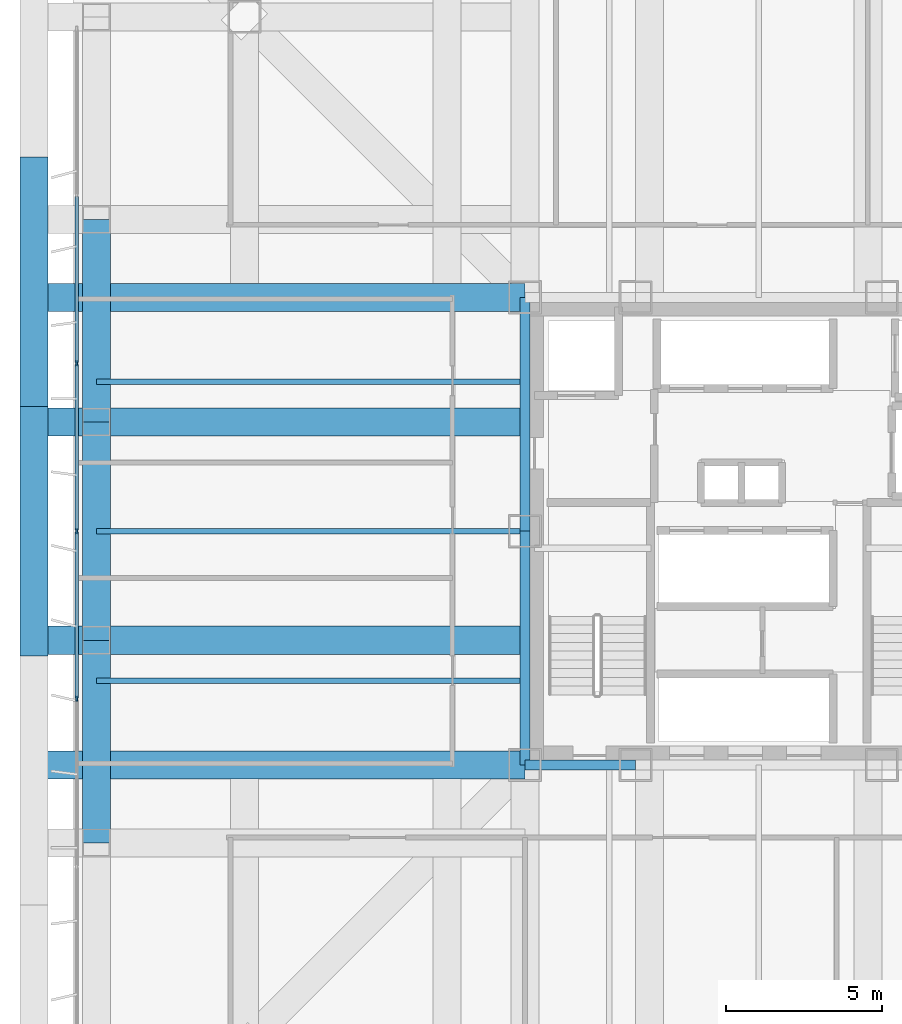
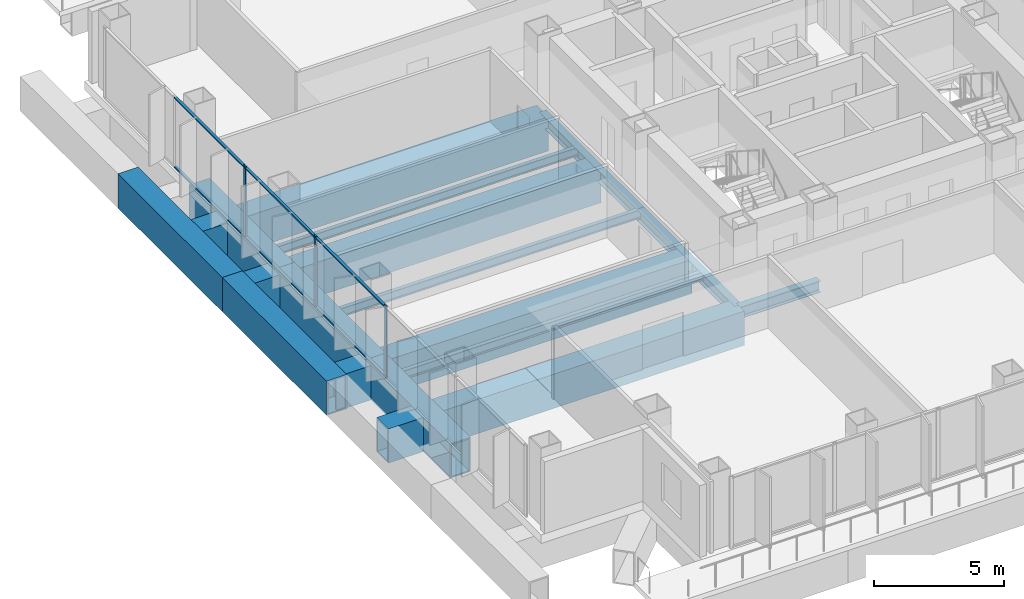
# One storey, part 4 of 17: 15 beams, 9 members, 1 element without a shape of its own.
"""IFC4 building model written with IfcOpenShell, lengths in metres."""

import ifcopenshell
import ifcopenshell.guid

model = None  # the IFC model being written
_history = None  # IfcOwnerHistory: only IFC2X3 demands one
_inside = {}  # id of a spatial element -> (the spatial element, [elements in it])
_under = {}  # id of a project, library or spatial element -> (it, [spatial elements below it])
_declared = {}  # id of a project -> (the project, [libraries it declares])
_typed = {}  # id of a type object -> (the type object, [elements of that type])
_made_of = {}  # id of a material, layer set ... -> (it, [elements and type objects made of it])


def new_model(schema):
    """Start an empty IFC model of exactly this schema.

    Asked for "IFC4X3", IfcOpenShell would pick the latest addendum, in which some entities
    have other attributes; the version numbers below select the first issue.
    IFC2X3 requires an IfcOwnerHistory on every rooted entity: one is made here for all.
    """
    global model, _history
    if schema == "IFC4X3":
        model = ifcopenshell.file(schema_version=(4, 3, 0, 0))
    else:
        model = ifcopenshell.file(schema=schema)
    _inside.clear()
    _under.clear()
    _declared.clear()
    _typed.clear()
    _made_of.clear()
    _history = None
    if model.schema == "IFC2X3":
        org = make("IfcOrganization", Name="unknown")
        user = make(
            "IfcPersonAndOrganization",
            ThePerson=make("IfcPerson", FamilyName="unknown"),
            TheOrganization=org,
        )
        app = make(
            "IfcApplication",
            ApplicationDeveloper=org,
            Version="unknown",
            ApplicationFullName="unknown",
            ApplicationIdentifier="unknown",
        )
        _history = make(
            "IfcOwnerHistory",
            OwningUser=user,
            OwningApplication=app,
            ChangeAction="ADDED",
            CreationDate=0,
        )
    return model


def make(cls, **values):
    """One entity of the class cls with the attributes given. An attribute that is None is left unset."""
    return model.create_entity(
        cls, **{name: value for name, value in values.items() if value is not None}
    )


def rooted(cls, **values):
    """An entity with a GlobalId (a new one), such as an element, a storey or a relation."""
    return make(cls, GlobalId=ifcopenshell.guid.new(), OwnerHistory=_history, **values)


def si_unit(unit_type, name, prefix=None):
    """IfcSIUnit, for example si_unit("LENGTHUNIT", "METRE", prefix="MILLI")."""
    return make("IfcSIUnit", UnitType=unit_type, Prefix=prefix, Name=name)


def assignment(units):
    """IfcUnitAssignment: the units of a project."""
    return None if units is None else make("IfcUnitAssignment", Units=units)


def point(xyz):
    """IfcCartesianPoint."""
    return None if xyz is None else make("IfcCartesianPoint", Coordinates=xyz)


def direction(xyz):
    """IfcDirection."""
    return None if xyz is None else make("IfcDirection", DirectionRatios=xyz)


def frame(location, z_axis=None, x_axis=None):
    """IfcAxis2Placement3D, a coordinate frame: its origin and axes. An axis left out is left unset."""
    return make(
        "IfcAxis2Placement3D",
        Location=point(location),
        Axis=direction(z_axis),
        RefDirection=direction(x_axis),
    )


def frame_2d(location, x_axis=None):
    """IfcAxis2Placement2D, a coordinate frame in the plane: its origin and x axis."""
    return make(
        "IfcAxis2Placement2D", Location=point(location), RefDirection=direction(x_axis)
    )


def origin():
    """The frame at (0, 0, 0) with its axes left unset."""
    return frame((0.0, 0.0, 0.0))


def origin_2d():
    """The frame at (0, 0) in the plane with its x axis left unset."""
    return frame_2d((0.0, 0.0))


def place(relative_to, where):
    """IfcLocalPlacement: puts the frame where relative to a parent placement (None: the world)."""
    return make(
        "IfcLocalPlacement", PlacementRelTo=relative_to, RelativePlacement=where
    )


def context(
    kind, dimensions, precision=None, world=None, true_north=None, identifier=None
):
    """IfcGeometricRepresentationContext, for example the 3D "Model" context."""
    return make(
        "IfcGeometricRepresentationContext",
        ContextIdentifier=identifier,
        ContextType=kind,
        CoordinateSpaceDimension=dimensions,
        Precision=precision,
        WorldCoordinateSystem=world,
        TrueNorth=true_north,
    )


def subcontext(parent, identifier, kind, view, scale=None):
    """IfcGeometricRepresentationSubContext, for example "Body" below "Model"."""
    return make(
        "IfcGeometricRepresentationSubContext",
        ContextIdentifier=identifier,
        ContextType=kind,
        ParentContext=parent,
        TargetScale=scale,
        TargetView=view,
    )


def project(units=None, contexts=None):
    """IfcProject with its units and contexts."""
    return rooted(
        "IfcProject",
        Name="project",
        RepresentationContexts=contexts,
        UnitsInContext=assignment(units),
    )


def spatial(cls, under=None, at=None, **own):
    """A site, building, storey or space (cls), placed at a placement, below another one or the project."""
    s = rooted(cls, ObjectPlacement=at, **own)
    if under is not None:
        _under.setdefault(under.id(), (under, []))[1].append(s)
    return s


def profile(cls, at=None, kind="AREA", **sizes):
    """A parametric profile (cls). Its sizes go by their IFC names, for example OverallWidth=200.0."""
    return make(cls, ProfileType=kind, Position=at, **sizes)


def rectangle(**sizes):
    """IfcRectangleProfileDef."""
    return profile("IfcRectangleProfileDef", **sizes)


def hollow_rectangle(**sizes):
    """IfcRectangleHollowProfileDef."""
    return profile("IfcRectangleHollowProfileDef", **sizes)


def i_section(**sizes):
    """IfcIShapeProfileDef."""
    return profile("IfcIShapeProfileDef", **sizes)


def extrude(swept, where, along, depth):
    """IfcExtrudedAreaSolid: the profile swept, set in the frame where, extruded along a direction by depth."""
    return make(
        "IfcExtrudedAreaSolid",
        SweptArea=swept,
        Position=where,
        ExtrudedDirection=direction(along),
        Depth=depth,
    )


def shape(context_of_items, identifier, shape_type, items):
    """IfcShapeRepresentation: the items that make up one representation, for example the "Body"."""
    return make(
        "IfcShapeRepresentation",
        ContextOfItems=context_of_items,
        RepresentationIdentifier=identifier,
        RepresentationType=shape_type,
        Items=items,
    )


def material(Name=None, Category=None):
    """IfcMaterial."""
    return make("IfcMaterial", Name=Name, Category=Category)


def layer(
    of_material, thickness, ventilated=None, Name=None, Category=None, Priority=None
):
    """IfcMaterialLayer: one layer of a wall or slab, of a material (None: an air gap)."""
    return make(
        "IfcMaterialLayer",
        Material=of_material,
        LayerThickness=thickness,
        IsVentilated=ventilated,
        Name=Name,
        Category=Category,
        Priority=Priority,
    )


def layer_set(layers, Name=None):
    """IfcMaterialLayerSet."""
    return make("IfcMaterialLayerSet", MaterialLayers=layers, LayerSetName=Name)


def material_profile(
    of_material, cross_section, Name=None, Category=None, Priority=None
):
    """IfcMaterialProfile: a cross section and its material."""
    return make(
        "IfcMaterialProfile",
        Name=Name,
        Material=of_material,
        Profile=cross_section,
        Priority=Priority,
        Category=Category,
    )


def profile_set(profiles, Name=None, composite=None):
    """IfcMaterialProfileSet."""
    return make(
        "IfcMaterialProfileSet",
        Name=Name,
        MaterialProfiles=profiles,
        CompositeProfile=composite,
    )


def made_of(thing, what):
    """Note that an element or type object is made of a material, layer set ...; save() writes the relation."""
    if what is not None:
        _made_of.setdefault(what.id(), (what, []))[1].append(thing)
    return thing


def type_object(cls, material=None, **own):
    """A type object (cls), such as IfcWallType, which elements share."""
    return made_of(rooted(cls, **own), material)


def element(
    cls,
    number,
    at=None,
    inside=None,
    cuts=None,
    type_object=None,
    material=None,
    context=None,
    identifier="Body",
    shape_type=None,
    held_by="IfcProductDefinitionShape",
    body=None,
    shapes=None,
    **own,
):
    """One element of the class cls, such as IfcWall. Its Tag is "e" and its number.

    at: its placement. inside: the storey or other place that contains it. cuts: it is an
    opening in that element (IfcRelVoidsElement). A single representation is given by context,
    identifier, shape_type and body (its items); several are given by shapes. held_by: the class
    of the entity that holds the representations. save() writes the other relations.
    """
    e = rooted(cls, Tag="e%d" % number, ObjectPlacement=at, **own)
    if body is not None:
        shapes = [shape(context, identifier, shape_type, body)]
    if shapes is not None:
        e.Representation = make(held_by, Representations=shapes)
    if inside is not None:
        _inside.setdefault(inside.id(), (inside, []))[1].append(e)
    if cuts is not None:
        rooted(
            "IfcRelVoidsElement", RelatingBuildingElement=cuts, RelatedOpeningElement=e
        )
    if type_object is not None:
        _typed.setdefault(type_object.id(), (type_object, []))[1].append(e)
    return made_of(e, material)


def aggregate(whole, parts):
    """IfcRelAggregates: a whole, such as a stair, and the parts it consists of."""
    return rooted("IfcRelAggregates", RelatingObject=whole, RelatedObjects=parts)


def save(model, path):
    """Write the relations noted so far, then the file.

    IfcRelAggregates (storeys below a building ...), IfcRelContainedInSpatialStructure (elements
    in a storey), IfcRelDefinesByType, IfcRelAssociatesMaterial and IfcRelDeclares: one each for
    every whole, place, type object, material and project.
    """
    for whole, parts in _under.values():
        aggregate(whole, parts)
    for where, things in _inside.values():
        rooted(
            "IfcRelContainedInSpatialStructure",
            RelatedElements=things,
            RelatingStructure=where,
        )
    for kind, things in _typed.values():
        rooted("IfcRelDefinesByType", RelatedObjects=things, RelatingType=kind)
    for what, things in _made_of.values():
        rooted("IfcRelAssociatesMaterial", RelatedObjects=things, RelatingMaterial=what)
    for by, libraries in _declared.values():
        rooted("IfcRelDeclares", RelatingContext=by, RelatedDefinitions=libraries)
    model.write(path)


model = new_model("IFC4")

# Units and contexts
model_context = context("Model", 3, precision=1e-05, world=origin(), true_north=direction((0.0, 1.0)))
body_context = subcontext(model_context, "Body", "Model", "MODEL_VIEW")
ifc_project = project(units=[si_unit("LENGTHUNIT", "METRE"), si_unit("AREAUNIT", "SQUARE_METRE"), si_unit("VOLUMEUNIT", "CUBIC_METRE"), si_unit("PLANEANGLEUNIT", "RADIAN"), si_unit("MASSUNIT", "GRAM", prefix="KILO")], contexts=[model_context])

# Site, building, storey
site_placement = place(None, origin())
site = spatial("IfcSite", under=ifc_project, at=site_placement, CompositionType="ELEMENT")
building_placement = place(site_placement, origin())
building = spatial("IfcBuilding", under=site, at=building_placement, Name="Trevonay Congress Spire", CompositionType="ELEMENT")
storey_placement = place(building_placement, frame((0.0, 0.0, 94.0)))
storey = spatial("IfcBuildingStorey", under=building, at=storey_placement, Name="L23", CompositionType="ELEMENT", Elevation=94.0)

# Beams
ifc_material_1 = material(Name="Steel ASTM A572 Grade 50", Category="steel")
ifc_material_profile_1 = material_profile(ifc_material_1, i_section(OverallWidth=0.31201171875, OverallDepth=0.54296875, WebThickness=0.0126953125, FlangeThickness=0.020263671875, FilletRadius=0.014892578125, at=origin_2d()), Name="W530x150")
ifc_profile_set_1 = profile_set([ifc_material_profile_1], Name="Steel ASTM A572 Grade 50")
beam_type_1 = type_object("IfcBeamType", Name="BM-GIRD-W530X150", PredefinedType="BEAM", material=ifc_profile_set_1)
beam_1_placement = place(storey_placement, frame((-7.5, -7.5, -0.67138671875), z_axis=(1.0, 0.0, 0.0), x_axis=(0.0, 1.0, 0.0)))
element("IfcBeam", 1, at=beam_1_placement, inside=storey, type_object=beam_type_1, Name="L23 structural beam BM-L23-CR-S1", PredefinedType="BEAM", context=body_context, shape_type="SweptSolid", body=[
    extrude(i_section(OverallWidth=0.31201171875, OverallDepth=0.54296875, WebThickness=0.0126953125, FlangeThickness=0.020263671875, FilletRadius=0.014892578125, at=origin_2d()), origin(), (0.0, 0.0, 1.0), 3.550048828125),
])
for number, where, z_axis, x_axis, name in (
    (2, (-7.5, -7.5, -0.67138671875), (0.0, 1.0, 0.0), (-1.0, 0.0, 0.0), "L23 structural beam BM-L23-CR-W1"),
    (3, (-7.5, 0.0, -0.67138671875), (0.0, 1.0, 0.0), (-1.0, 0.0, 0.0), "L23 structural beam BM-L23-CR-W2"),
):
    element("IfcBeam", number, at=place(storey_placement, frame(where, z_axis=z_axis, x_axis=x_axis)), inside=storey, type_object=beam_type_1, Name=name, PredefinedType="BEAM", context=body_context, shape_type="SweptSolid", body=[
        extrude(i_section(OverallWidth=0.31201171875, OverallDepth=0.54296875, WebThickness=0.0126953125, FlangeThickness=0.020263671875, FilletRadius=0.014892578125, at=origin_2d()), origin(), (0.0, 0.0, 1.0), 7.5),
    ])
ifc_material_profile_2 = material_profile(ifc_material_1, hollow_rectangle(XDim=0.89990234375, YDim=1.60009765625, WallThickness=0.06005859375, at=origin_2d()), Name="BOX 1600x900x60")
ifc_profile_set_2 = profile_set([ifc_material_profile_2], Name="Steel ASTM A572 Grade 50")
beam_type_2 = type_object("IfcBeamType", Name="BM-RING-BOX1600", PredefinedType="BEAM", material=ifc_profile_set_2)
beam_2_placement = place(storey_placement, frame((-21.25, -10.0, -1.199951171875), z_axis=(0.0, 1.0, 0.0), x_axis=(-1.0, 0.0, 0.0)))
element("IfcBeam", 4, at=beam_2_placement, inside=storey, type_object=beam_type_2, Name="L23 structural beam BM-L23-PW2", PredefinedType="BEAM", context=body_context, shape_type="SweptSolid", body=[
    extrude(hollow_rectangle(XDim=0.89990234375, YDim=1.60009765625, WallThickness=0.06005859375, at=origin_2d()), origin(), (0.0, 0.0, 1.0), 6.5),
])
beam_3_placement = place(storey_placement, frame((-21.25, -3.5, -1.199951171875), z_axis=(0.0, 1.0, 0.0), x_axis=(-1.0, 0.0, 0.0)))
element("IfcBeam", 5, at=beam_3_placement, inside=storey, type_object=beam_type_2, Name="L23 structural beam BM-L23-PW3", PredefinedType="BEAM", context=body_context, shape_type="SweptSolid", body=[
    extrude(hollow_rectangle(XDim=0.89990234375, YDim=1.60009765625, WallThickness=0.06005859375, at=origin_2d()), origin(), (0.0, 0.0, 1.0), 7.0),
])
beam_4_placement = place(storey_placement, frame((-21.25, 3.5, -1.199951171875), z_axis=(0.0, 1.0, 0.0), x_axis=(-1.0, 0.0, 0.0)))
element("IfcBeam", 6, at=beam_4_placement, inside=storey, type_object=beam_type_2, Name="L23 structural beam BM-L23-PW4", PredefinedType="BEAM", context=body_context, shape_type="SweptSolid", body=[
    extrude(hollow_rectangle(XDim=0.89990234375, YDim=1.60009765625, WallThickness=0.06005859375, at=origin_2d()), origin(), (0.0, 0.0, 1.0), 6.5),
])
for number, where, z_axis, x_axis, name in (
    (7, (-23.25, -4.0, -1.199951171875), (0.0, 1.0, 0.0), (-1.0, 0.0, 0.0), "L23 structural beam XOUT-L23-W2"),
    (8, (-23.25, 4.0, -1.199951171875), (0.0, 1.0, 0.0), (-1.0, 0.0, 0.0), "L23 structural beam XOUT-L23-W3"),
):
    element("IfcBeam", number, at=place(storey_placement, frame(where, z_axis=z_axis, x_axis=x_axis)), inside=storey, type_object=beam_type_2, Name=name, PredefinedType="BEAM", context=body_context, shape_type="SweptSolid", body=[
        extrude(hollow_rectangle(XDim=0.89990234375, YDim=1.60009765625, WallThickness=0.06005859375, at=origin_2d()), origin(), (0.0, 0.0, 1.0), 8.0),
    ])
ifc_material_profile_3 = material_profile(ifc_material_1, hollow_rectangle(XDim=0.89990234375, YDim=1.60009765625, WallThickness=0.06005859375, at=origin_2d()), Name="BOX 1600x900x60")
ifc_profile_set_3 = profile_set([ifc_material_profile_3], Name="Steel ASTM A572 Grade 50")
beam_type_3 = type_object("IfcBeamType", Name="BM-XFER-BOX1600", PredefinedType="BEAM", material=ifc_profile_set_3)
for number, where, z_axis, x_axis, name in (
    (9, (-7.5, -7.5, -1.199951171875), (-1.0, 0.0, 0.0), (0.0, -1.0, 0.0), "L23 structural beam XSPN-L23-CX-SW"),
    (10, (-7.5, 7.5, -1.199951171875), (-1.0, 0.0, 0.0), (0.0, -1.0, 0.0), "L23 structural beam XSPN-L23-CX-NW"),
    (11, (-7.5, -3.5, -1.199951171875), (-1.0, 0.0, 0.0), (0.0, -1.0, 0.0), "L23 structural beam XFER-L23-W2"),
    (12, (-7.5, 3.5, -1.199951171875), (-1.0, 0.0, 0.0), (0.0, -1.0, 0.0), "L23 structural beam XFER-L23-W3"),
):
    element("IfcBeam", number, at=place(storey_placement, frame(where, z_axis=z_axis, x_axis=x_axis)), inside=storey, type_object=beam_type_3, Name=name, PredefinedType="BEAM", context=body_context, shape_type="SweptSolid", body=[
        extrude(hollow_rectangle(XDim=0.89990234375, YDim=1.60009765625, WallThickness=0.06005859375, at=origin_2d()), origin(), (0.0, 0.0, 1.0), 15.75),
    ])

# Curtain wall, members
ifc_material_2 = material(Name="Pale Anodised Aluminium EN AW-6063-T6", Category="aluminium")
ifc_layer = layer(ifc_material_2, 0.175048828125, Name="Pale Anodised Aluminium EN AW-6063-T6")
ifc_layer_set = layer_set([ifc_layer], Name="Pale Anodised Aluminium EN AW-6063-T6")
curtain_wall_type = type_object("IfcCurtainWallType", Name="CW-SYS03-CONGRESS-PALE-METAL", PredefinedType="NOTDEFINED", material=ifc_layer_set)
curtain_wall_placement = place(storey_placement, origin())
curtain_wall = element("IfcCurtainWall", 13, at=curtain_wall_placement, inside=storey, type_object=curtain_wall_type, Name="L23 W unitised curtain wall", PredefinedType="NOTDEFINED")
ifc_material_profile_4 = material_profile(ifc_material_2, rectangle(XDim=0.06005859375, YDim=0.159912109375, at=origin_2d()), Name="CW-MULLION-160-ALUMINIUM")
ifc_profile_set_4 = profile_set([ifc_material_profile_4], Name="Pale Anodised Aluminium EN AW-6063-T6")
member_type_1 = type_object("IfcMemberType", Name="CW-MULLION-160-ALUMINIUM", PredefinedType="MULLION", material=ifc_profile_set_4)
member_1_placement = place(storey_placement, frame((-21.8798828125, -5.38330078125, 0.0), z_axis=(0.0, 0.0, 1.0), x_axis=(-1.0, 0.0, 0.0)))
member_1 = element("IfcMember", 14, at=member_1_placement, type_object=member_type_1, Name="CW03 mullion 3", PredefinedType="MULLION", context=body_context, shape_type="SweptSolid", body=[
    extrude(rectangle(XDim=0.06005859375, YDim=0.159912109375, at=origin_2d()), origin(), (0.0, 0.0, 1.0), 3.360107421875),
])
member_2_placement = place(storey_placement, frame((-21.8798828125, 0.0, 0.0), z_axis=(0.0, 0.0, 1.0), x_axis=(-1.0, 0.0, 0.0)))
member_2 = element("IfcMember", 15, at=member_2_placement, type_object=member_type_1, Name="CW03 mullion 4", PredefinedType="MULLION", context=body_context, shape_type="SweptSolid", body=[
    extrude(rectangle(XDim=0.06005859375, YDim=0.159912109375, at=origin_2d()), origin(), (0.0, 0.0, 1.0), 3.360107421875),
])
member_3_placement = place(storey_placement, frame((-21.8798828125, 5.38330078125, 0.0), z_axis=(0.0, 0.0, 1.0), x_axis=(-1.0, 0.0, 0.0)))
member_3 = element("IfcMember", 16, at=member_3_placement, type_object=member_type_1, Name="CW03 mullion 5", PredefinedType="MULLION", context=body_context, shape_type="SweptSolid", body=[
    extrude(rectangle(XDim=0.06005859375, YDim=0.159912109375, at=origin_2d()), origin(), (0.0, 0.0, 1.0), 3.360107421875),
])
ifc_material_profile_5 = material_profile(ifc_material_2, rectangle(XDim=0.1201171875, YDim=0.06005859375, at=origin_2d()), Name="CW-TRANSOM-120-ALUMINIUM")
ifc_profile_set_5 = profile_set([ifc_material_profile_5], Name="Pale Anodised Aluminium EN AW-6063-T6")
member_type_2 = type_object("IfcMemberType", Name="CW-TRANSOM-120-ALUMINIUM", PredefinedType="USERDEFINED", material=ifc_profile_set_5)
member_4_placement = place(storey_placement, frame((-21.8798828125, -5.353271484375, 0.06005859375), z_axis=(0.0, 1.0, 0.0), x_axis=(-1.0, 0.0, 0.0)))
member_4 = element("IfcMember", 17, at=member_4_placement, type_object=member_type_2, Name="CW03 transom 3.1", ObjectType="TRANSOM", PredefinedType="USERDEFINED", context=body_context, shape_type="SweptSolid", body=[
    extrude(rectangle(XDim=0.1201171875, YDim=0.06005859375, at=origin_2d()), origin(), (0.0, 0.0, 1.0), 5.3232421875),
])
member_5_placement = place(storey_placement, frame((-21.8798828125, -5.353271484375, 3.300048828125), z_axis=(0.0, 1.0, 0.0), x_axis=(-1.0, 0.0, 0.0)))
member_5 = element("IfcMember", 18, at=member_5_placement, type_object=member_type_2, Name="CW03 transom 3.2", ObjectType="TRANSOM", PredefinedType="USERDEFINED", context=body_context, shape_type="SweptSolid", body=[
    extrude(rectangle(XDim=0.1201171875, YDim=0.06005859375, at=origin_2d()), origin(), (0.0, 0.0, 1.0), 5.3232421875),
])
member_6_placement = place(storey_placement, frame((-21.8798828125, 0.030029296875, 0.06005859375), z_axis=(0.0, 1.0, 0.0), x_axis=(-1.0, 0.0, 0.0)))
member_6 = element("IfcMember", 19, at=member_6_placement, type_object=member_type_2, Name="CW03 transom 4.1", ObjectType="TRANSOM", PredefinedType="USERDEFINED", context=body_context, shape_type="SweptSolid", body=[
    extrude(rectangle(XDim=0.1201171875, YDim=0.06005859375, at=origin_2d()), origin(), (0.0, 0.0, 1.0), 5.3232421875),
])
member_7_placement = place(storey_placement, frame((-21.8798828125, 0.030029296875, 3.300048828125), z_axis=(0.0, 1.0, 0.0), x_axis=(-1.0, 0.0, 0.0)))
member_7 = element("IfcMember", 20, at=member_7_placement, type_object=member_type_2, Name="CW03 transom 4.2", ObjectType="TRANSOM", PredefinedType="USERDEFINED", context=body_context, shape_type="SweptSolid", body=[
    extrude(rectangle(XDim=0.1201171875, YDim=0.06005859375, at=origin_2d()), origin(), (0.0, 0.0, 1.0), 5.3232421875),
])
member_8_placement = place(storey_placement, frame((-21.8798828125, 5.413330078125, 0.06005859375), z_axis=(0.0, 1.0, 0.0), x_axis=(-1.0, 0.0, 0.0)))
member_8 = element("IfcMember", 21, at=member_8_placement, type_object=member_type_2, Name="CW03 transom 5.1", ObjectType="TRANSOM", PredefinedType="USERDEFINED", context=body_context, shape_type="SweptSolid", body=[
    extrude(rectangle(XDim=0.1201171875, YDim=0.06005859375, at=origin_2d()), origin(), (0.0, 0.0, 1.0), 5.3232421875),
])
member_9_placement = place(storey_placement, frame((-21.8798828125, 5.413330078125, 3.300048828125), z_axis=(0.0, 1.0, 0.0), x_axis=(-1.0, 0.0, 0.0)))
member_9 = element("IfcMember", 22, at=member_9_placement, type_object=member_type_2, Name="CW03 transom 5.2", ObjectType="TRANSOM", PredefinedType="USERDEFINED", context=body_context, shape_type="SweptSolid", body=[
    extrude(rectangle(XDim=0.1201171875, YDim=0.06005859375, at=origin_2d()), origin(), (0.0, 0.0, 1.0), 5.3232421875),
])
aggregate(curtain_wall, [member_1, member_2, member_3, member_4, member_5, member_6, member_7, member_8, member_9])

# Beams
ifc_material_profile_6 = material_profile(ifc_material_1, i_section(OverallWidth=0.177978515625, OverallDepth=0.406982421875, WebThickness=0.0078125, FlangeThickness=0.0126953125, FilletRadius=0.012939453125, at=origin_2d()), Name="W410x60")
ifc_profile_set_6 = profile_set([ifc_material_profile_6], Name="Steel ASTM A572 Grade 50")
beam_type_4 = type_object("IfcBeamType", Name="JS-COMP-W410X60", PredefinedType="JOIST", material=ifc_profile_set_6)
for number, where, z_axis, x_axis, name in (
    (23, (-21.25, -4.800048828125, -0.603515625), (1.0, 0.0, 0.0), (0.0, 1.0, 0.0), "L23 structural beam JS-L23-EW-W1"),
    (24, (-21.25, 0.0, -0.603515625), (1.0, 0.0, 0.0), (0.0, 1.0, 0.0), "L23 structural beam JS-L23-EW-W2"),
    (25, (-21.25, 4.800048828125, -0.603515625), (1.0, 0.0, 0.0), (0.0, 1.0, 0.0), "L23 structural beam JS-L23-EW-W3"),
):
    element("IfcBeam", number, at=place(storey_placement, frame(where, z_axis=z_axis, x_axis=x_axis)), inside=storey, type_object=beam_type_4, Name=name, PredefinedType="JOIST", context=body_context, shape_type="SweptSolid", body=[
        extrude(i_section(OverallWidth=0.177978515625, OverallDepth=0.406982421875, WebThickness=0.0078125, FlangeThickness=0.0126953125, FilletRadius=0.012939453125, at=origin_2d()), origin(), (0.0, 0.0, 1.0), 13.75),
    ])

save(model, "model.ifc")
